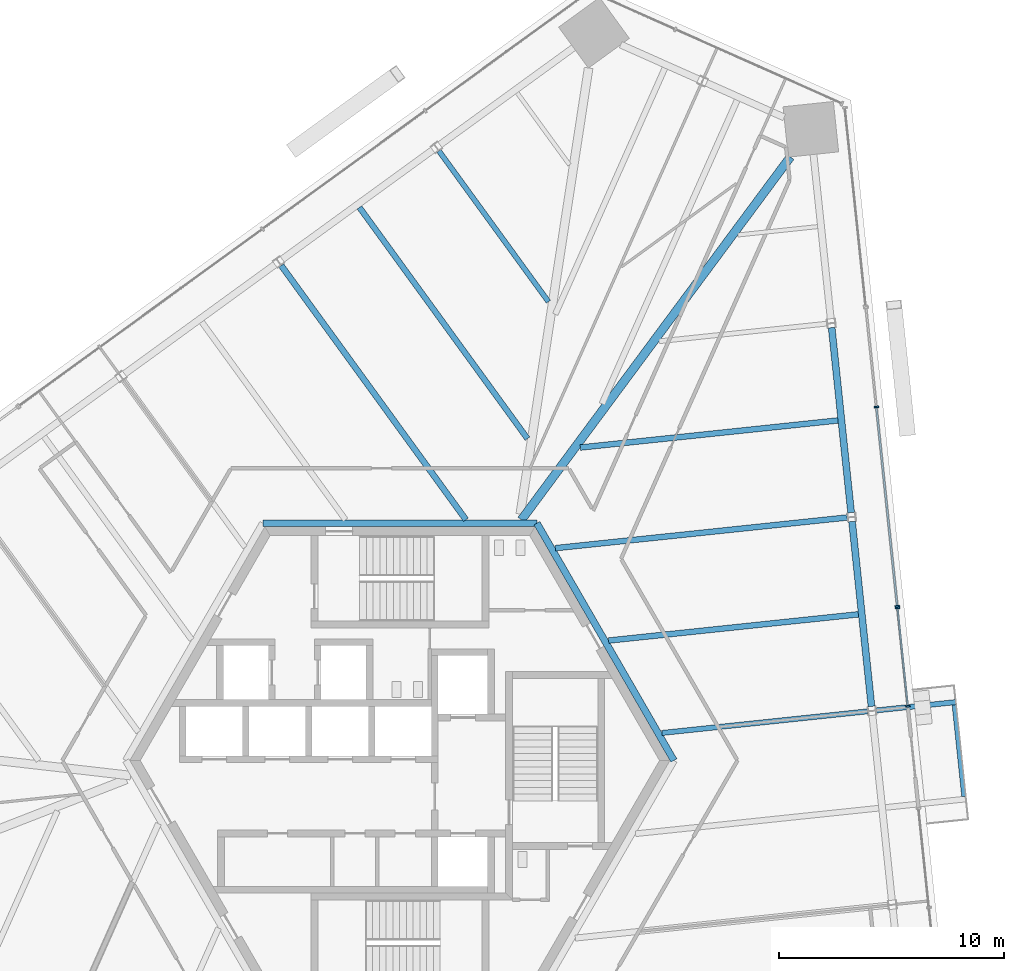
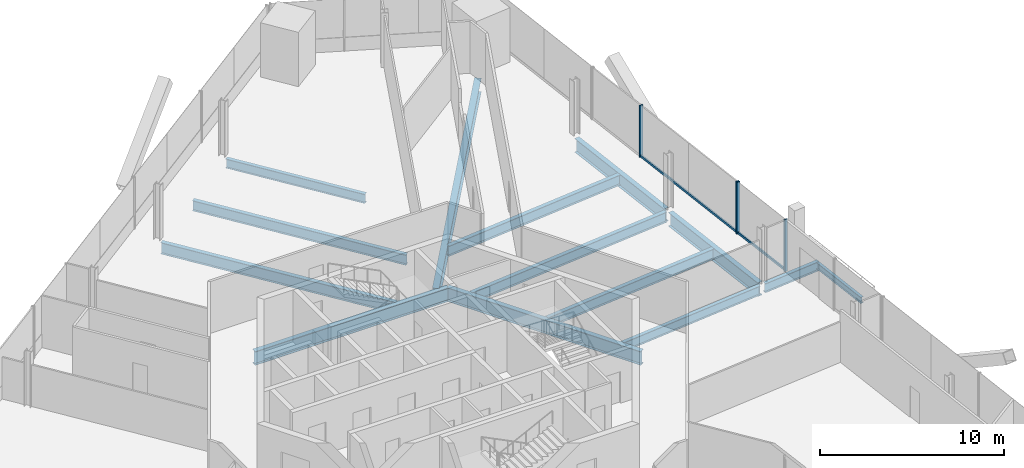
# One storey, part 7 of 18: 14 beams, 6 members, 2 elements without a shape of their own.
"""IFC4 building model written with IfcOpenShell, lengths in metres."""

from ifc_helpers import new_model, si_unit, direction, frame, origin, origin_2d, place, context, subcontext, project, spatial, rectangle, i_section, extrude, source, transform, mapped, material, material_profile, profile_set, type_object, element, aggregate, save


model = new_model("IFC4")

# Units and contexts
model_context = context("Model", 3, precision=1e-05, world=origin(), true_north=direction((0.0, 1.0)))
body_context = subcontext(model_context, "Body", "Model", "MODEL_VIEW")
ifc_project = project(units=[si_unit("LENGTHUNIT", "METRE"), si_unit("AREAUNIT", "SQUARE_METRE"), si_unit("VOLUMEUNIT", "CUBIC_METRE"), si_unit("PLANEANGLEUNIT", "RADIAN"), si_unit("MASSUNIT", "GRAM", prefix="KILO")], contexts=[model_context])

# Site, building, storey
site_placement = place(None, origin())
site = spatial("IfcSite", under=ifc_project, at=site_placement, CompositionType="ELEMENT")
building_placement = place(site_placement, origin())
building = spatial("IfcBuilding", under=site, at=building_placement, Name="Triune Harvest Tower", CompositionType="ELEMENT")
storey_placement = place(building_placement, frame((0.0, 0.0, 83.699951171875)))
storey = spatial("IfcBuildingStorey", under=building, at=storey_placement, Name="L20", CompositionType="ELEMENT", Elevation=83.699951171875)

# Curtain wall, member
ifc_material_1 = material(Name="Aluminium bronze anodised", Category="aluminium")
curtain_wall_type_1 = type_object("IfcCurtainWallType", Name="CW-10 Balcony window wall with insulated spandrel infill", PredefinedType="NOTDEFINED", material=ifc_material_1)
curtain_wall_1_placement = place(storey_placement, origin())
curtain_wall_1 = element("IfcCurtainWall", 1, at=curtain_wall_1_placement, inside=storey, type_object=curtain_wall_type_1, Name="CW-10 B2-F1 L20 run 1002")
ifc_material_2 = material(Name="Aluminium bronze anodised", Category="aluminium")
ifc_material_profile_1 = material_profile(ifc_material_2, rectangle(XDim=0.090087890625, YDim=0.14990234375, at=origin_2d()), Name="TR-6 transom 90 x 150")
ifc_profile_set_1 = profile_set([ifc_material_profile_1], Name="Aluminium bronze anodised")
member_type_1 = type_object("IfcMemberType", Name="TR-6 transom 90 x 150", PredefinedType="USERDEFINED", material=ifc_profile_set_1)
member_1_placement = place(storey_placement, frame((22.09814453125, 6.893310546875, 0.074951171875), z_axis=(-0.104501967662, 0.994524679812, 0.0), x_axis=(-0.994524679812, -0.104501967662, 0.0)))
member_1 = element("IfcMember", 2, at=member_1_placement, type_object=member_type_1, Name="CW-10 transom B2-F1 1002.1", ObjectType="TRANSOM", PredefinedType="USERDEFINED", context=body_context, shape_type="SweptSolid", body=[
    extrude(rectangle(XDim=0.090087890625, YDim=0.14990234375, at=origin_2d()), origin(), (0.0, 0.0, 1.0), 8.82861328125),
])

# Beams
ifc_material_3 = material(Name="Steel ASTM A992 Gr 50", Category="steel")
ifc_material_profile_2 = material_profile(ifc_material_3, i_section(OverallWidth=0.3046875, OverallDepth=0.914306640625, WebThickness=0.0166015625, FlangeThickness=0.02587890625, at=origin_2d()), Name="W36x160")
ifc_profile_set_2 = profile_set([ifc_material_profile_2], Name="Steel ASTM A992 Gr 50")
beam_type_1 = type_object("IfcBeamType", Name="CG-1 Core ring girder W36x160", PredefinedType="BEAM", material=ifc_profile_set_2)
shared_shape_1 = source(origin(), body_context, "Body", "SweptSolid", [
    extrude(i_section(OverallWidth=0.3046875, OverallDepth=0.914306640625, WebThickness=0.0166015625, FlangeThickness=0.02587890625, at=origin_2d()), origin(), (0.0, 0.0, 1.0), 12.176025390625),
])
beam_1_placement = place(storey_placement, frame((12.176025390625, 0.0, -0.6171875), z_axis=(-0.5000099932, 0.866019634131, 0.0), x_axis=(-0.866019634131, -0.5000099932, 0.0)))
element("IfcBeam", 3, at=beam_1_placement, inside=storey, type_object=beam_type_1, Name="beam/L20/CG1", PredefinedType="BEAM", context=body_context, shape_type="MappedRepresentation", body=[
    mapped(shared_shape_1, transform((0.0, 0.0, 0.0), scale=1.0)),
])
shared_shape_2 = source(origin(), body_context, "Body", "SweptSolid", [
    extrude(i_section(OverallWidth=0.3046875, OverallDepth=0.914306640625, WebThickness=0.0166015625, FlangeThickness=0.02587890625, at=origin_2d()), origin(), (0.0, 0.0, 1.0), 12.17578125),
])
beam_2_placement = place(storey_placement, frame((6.087890625, 10.544677734375, -0.6171875), z_axis=(-1.0, 0.0, 0.0), x_axis=(0.0, -1.0, 0.0)))
element("IfcBeam", 4, at=beam_2_placement, inside=storey, type_object=beam_type_1, Name="beam/L20/CG2", PredefinedType="BEAM", context=body_context, shape_type="MappedRepresentation", body=[
    mapped(shared_shape_2, transform((0.0, 0.0, 0.0), scale=1.0)),
])
ifc_material_4 = material(Name="Steel ASTM A992 Gr 50", Category="steel")
ifc_material_profile_3 = material_profile(ifc_material_4, i_section(OverallWidth=0.3046875, OverallDepth=0.914306640625, WebThickness=0.0166015625, FlangeThickness=0.02587890625, at=origin_2d()), Name="W36x160")
ifc_profile_set_3 = profile_set([ifc_material_profile_3], Name="Steel ASTM A992 Gr 50")
beam_type_2 = type_object("IfcBeamType", Name="SB-1 Spandrel beam W36x160", PredefinedType="SPANDREL", material=ifc_profile_set_3)
shared_shape_3 = source(origin(), body_context, "Body", "SweptSolid", [
    extrude(i_section(OverallWidth=0.3046875, OverallDepth=0.914306640625, WebThickness=0.0166015625, FlangeThickness=0.02587890625, at=origin_2d()), origin(), (0.0, 0.0, 1.0), 8.263427734375),
])
for number, where, z_axis, x_axis, name in (
    (5, (20.956298828125, 2.403076171875, -0.6171875), (-0.104560208485, 0.994518558299, 0.0), (-0.994518558299, -0.104560208485, 0.0), "beam/L20/SB4"),
    (6, (20.05078125, 11.017822265625, -0.6171875), (-0.104527914852, 0.994521953009, 0.0), (-0.994521953009, -0.104527914852, 0.0), "beam/L20/SB5"),
):
    element("IfcBeam", number, at=place(storey_placement, frame(where, z_axis=z_axis, x_axis=x_axis)), inside=storey, type_object=beam_type_2, Name=name, PredefinedType="SPANDREL", context=body_context, shape_type="MappedRepresentation", body=[
        mapped(shared_shape_3, transform((0.0, 0.0, 0.0), scale=1.0)),
    ])
ifc_material_5 = material(Name="Steel ASTM A992 Gr 50", Category="steel")
ifc_material_profile_4 = material_profile(ifc_material_5, i_section(OverallWidth=0.383544921875, OverallDepth=0.9423828125, WebThickness=0.022216796875, FlangeThickness=0.039794921875, at=origin_2d()), Name="W36x232")
ifc_profile_set_4 = profile_set([ifc_material_profile_4], Name="Steel ASTM A992 Gr 50")
beam_type_3 = type_object("IfcBeamType", Name="HG-1 Hip girder W36x232", PredefinedType="BEAM", material=ifc_profile_set_4)
shared_shape_4 = source(origin(), body_context, "Body", "SweptSolid", [
    extrude(i_section(OverallWidth=0.383544921875, OverallDepth=0.9423828125, WebThickness=0.022216796875, FlangeThickness=0.039794921875, at=origin_2d()), origin(), (0.0, 0.0, 1.0), 20.071044921875),
])
beam_3_placement = place(storey_placement, frame((17.3515625, 26.822265625, -0.631103515625), z_axis=(-0.595422435489, -0.803412797581, 0.0), x_axis=(0.803412797581, -0.595422435489, 0.0)))
element("IfcBeam", 7, at=beam_3_placement, inside=storey, type_object=beam_type_3, Name="beam/L20/HG3", PredefinedType="BEAM", context=body_context, shape_type="MappedRepresentation", body=[
    mapped(shared_shape_4, transform((0.0, 0.0, 0.0), scale=1.0)),
])
ifc_material_6 = material(Name="Steel ASTM A992 Gr 50", Category="steel")
ifc_material_profile_5 = material_profile(ifc_material_6, i_section(OverallWidth=0.22900390625, OverallDepth=0.612060546875, WebThickness=0.011962890625, FlangeThickness=0.01953125, at=origin_2d()), Name="W24x84")
ifc_profile_set_5 = profile_set([ifc_material_profile_5], Name="Steel ASTM A992 Gr 50")
beam_type_4 = type_object("IfcBeamType", Name="JT-3 Floor joist W24x84", PredefinedType="JOIST", material=ifc_profile_set_5)
shared_shape_5 = source(origin(), body_context, "Body", "SweptSolid", [
    extrude(i_section(OverallWidth=0.22900390625, OverallDepth=0.612060546875, WebThickness=0.011962890625, FlangeThickness=0.01953125, at=origin_2d()), origin(), (0.0, 0.0, 1.0), 8.28173828125),
])
beam_4_placement = place(storey_placement, frame((1.733642578125, 27.087890625, -0.466064453125), z_axis=(0.587794772324, -0.809010077581, 0.0), x_axis=(0.809010077581, 0.587794772324, 0.0)))
element("IfcBeam", 8, at=beam_4_placement, inside=storey, type_object=beam_type_4, Name="beam/L20/JT15", PredefinedType="JOIST", context=body_context, shape_type="MappedRepresentation", body=[
    mapped(shared_shape_5, transform((0.0, 0.0, 0.0), scale=1.0)),
])
shared_shape_6 = source(origin(), body_context, "Body", "SweptSolid", [
    extrude(i_section(OverallWidth=0.22900390625, OverallDepth=0.612060546875, WebThickness=0.011962890625, FlangeThickness=0.01953125, at=origin_2d()), origin(), (0.0, 0.0, 1.0), 9.186279296875),
])
beam_5_placement = place(storey_placement, frame((20.78125, 2.18408203125, -0.466064453125), z_axis=(-0.99452494946, -0.10449940144, 0.0), x_axis=(0.10449940144, -0.99452494946, 0.0)))
element("IfcBeam", 9, at=beam_5_placement, inside=storey, type_object=beam_type_4, Name="beam/L20/JT6", PredefinedType="JOIST", context=body_context, shape_type="MappedRepresentation", body=[
    mapped(shared_shape_6, transform((0.0, 0.0, 0.0), scale=1.0)),
])
ifc_material_7 = material(Name="Steel ASTM A992 Gr 50", Category="steel")
ifc_material_profile_6 = material_profile(ifc_material_7, i_section(OverallWidth=0.253662109375, OverallDepth=0.683349609375, WebThickness=0.012451171875, FlangeThickness=0.01904296875, at=origin_2d()), Name="W27x94")
ifc_profile_set_6 = profile_set([ifc_material_profile_6], Name="Steel ASTM A992 Gr 50")
beam_type_5 = type_object("IfcBeamType", Name="JT-4 Floor joist W27x94", PredefinedType="JOIST", material=ifc_profile_set_6)
shared_shape_7 = source(origin(), body_context, "Body", "SweptSolid", [
    extrude(i_section(OverallWidth=0.253662109375, OverallDepth=0.683349609375, WebThickness=0.012451171875, FlangeThickness=0.01904296875, at=origin_2d()), origin(), (0.0, 0.0, 1.0), 11.158935546875),
])
beam_6_placement = place(storey_placement, frame((20.372802734375, 6.49609375, -0.50146484375), z_axis=(-0.994523540129, -0.104512813234, 0.0), x_axis=(0.104512813234, -0.994523540129, 0.0)))
element("IfcBeam", 10, at=beam_6_placement, inside=storey, type_object=beam_type_5, Name="beam/L20/JT7", PredefinedType="JOIST", context=body_context, shape_type="MappedRepresentation", body=[
    mapped(shared_shape_7, transform((0.0, 0.0, 0.0), scale=1.0)),
])
shared_shape_8 = source(origin(), body_context, "Body", "SweptSolid", [
    extrude(i_section(OverallWidth=0.253662109375, OverallDepth=0.683349609375, WebThickness=0.012451171875, FlangeThickness=0.01904296875, at=origin_2d()), origin(), (0.0, 0.0, 1.0), 13.04296875),
])
beam_7_placement = place(storey_placement, frame((19.875732421875, 10.799072265625, -0.50146484375), z_axis=(-0.99452051979, -0.104541550188, 0.0), x_axis=(0.104541550188, -0.99452051979, 0.0)))
element("IfcBeam", 11, at=beam_7_placement, inside=storey, type_object=beam_type_5, Name="beam/L20/JT8", PredefinedType="JOIST", context=body_context, shape_type="MappedRepresentation", body=[
    mapped(shared_shape_8, transform((0.0, 0.0, 0.0), scale=1.0)),
])
shared_shape_9 = source(origin(), body_context, "Body", "SweptSolid", [
    extrude(i_section(OverallWidth=0.253662109375, OverallDepth=0.683349609375, WebThickness=0.012451171875, FlangeThickness=0.01904296875, at=origin_2d()), origin(), (0.0, 0.0, 1.0), 11.51123046875),
])
beam_8_placement = place(storey_placement, frame((19.46728515625, 15.111083984375, -0.50146484375), z_axis=(-0.994520898324, -0.104537949071, 0.0), x_axis=(0.104537949071, -0.994520898324, 0.0)))
element("IfcBeam", 12, at=beam_8_placement, inside=storey, type_object=beam_type_5, Name="beam/L20/JT9", PredefinedType="JOIST", context=body_context, shape_type="MappedRepresentation", body=[
    mapped(shared_shape_9, transform((0.0, 0.0, 0.0), scale=1.0)),
])
shared_shape_10 = source(origin(), body_context, "Body", "SweptSolid", [
    extrude(i_section(OverallWidth=0.253662109375, OverallDepth=0.683349609375, WebThickness=0.012451171875, FlangeThickness=0.01904296875, at=origin_2d()), origin(), (0.0, 0.0, 1.0), 12.701904296875),
])
beam_9_placement = place(storey_placement, frame((-1.79638671875, 24.578369140625, -0.50146484375), z_axis=(0.587773910587, -0.809025234485, 0.0), x_axis=(0.809025234485, 0.587773910587, 0.0)))
element("IfcBeam", 13, at=beam_9_placement, inside=storey, type_object=beam_type_5, Name="beam/L20/JT16", PredefinedType="JOIST", context=body_context, shape_type="MappedRepresentation", body=[
    mapped(shared_shape_10, transform((0.0, 0.0, 0.0), scale=1.0)),
])
ifc_material_8 = material(Name="Steel ASTM A992 Gr 50", Category="steel")
ifc_material_profile_7 = material_profile(ifc_material_8, i_section(OverallWidth=0.2666015625, OverallDepth=0.7568359375, WebThickness=0.013916015625, FlangeThickness=0.019287109375, at=origin_2d()), Name="W30x108")
ifc_profile_set_7 = profile_set([ifc_material_profile_7], Name="Steel ASTM A992 Gr 50")
beam_type_6 = type_object("IfcBeamType", Name="JT-5 Floor joist W30x108", PredefinedType="JOIST", material=ifc_profile_set_7)
shared_shape_11 = source(origin(), body_context, "Body", "SweptSolid", [
    extrude(i_section(OverallWidth=0.2666015625, OverallDepth=0.7568359375, WebThickness=0.013916015625, FlangeThickness=0.019287109375, at=origin_2d()), origin(), (0.0, 0.0, 1.0), 13.967041015625),
])
beam_10_placement = place(storey_placement, frame((-5.2744140625, 21.99658203125, -0.538330078125), z_axis=(0.587790196646, -0.809013402069, 0.0), x_axis=(0.809013402069, 0.587790196646, 0.0)))
element("IfcBeam", 14, at=beam_10_placement, inside=storey, type_object=beam_type_6, Name="beam/L20/JT17", PredefinedType="JOIST", context=body_context, shape_type="MappedRepresentation", body=[
    mapped(shared_shape_11, transform((0.0, 0.0, 0.0), scale=1.0)),
])

# Curtain wall, members
ifc_material_9 = material(Name="Aluminium bronze anodised", Category="aluminium")
curtain_wall_type_2 = type_object("IfcCurtainWallType", Name="CW-6 Balcony window wall", PredefinedType="NOTDEFINED", material=ifc_material_9)
curtain_wall_2_placement = place(storey_placement, origin())
curtain_wall_2 = element("IfcCurtainWall", 15, at=curtain_wall_2_placement, inside=storey, type_object=curtain_wall_type_2, Name="CW-6 B2-F1 L20 run 2")
ifc_material_10 = material(Name="Aluminium bronze anodised", Category="aluminium")
ifc_material_profile_8 = material_profile(ifc_material_10, rectangle(XDim=0.199951171875, YDim=0.074951171875, at=origin_2d()), Name="MU-6 mullion 75 x 200")
ifc_profile_set_8 = profile_set([ifc_material_profile_8], Name="Aluminium bronze anodised")
member_type_2 = type_object("IfcMemberType", Name="MU-6 mullion 75 x 200", PredefinedType="MULLION", material=ifc_profile_set_8)
shared_shape_12 = source(origin(), body_context, "Body", "SweptSolid", [
    extrude(rectangle(XDim=0.199951171875, YDim=0.074951171875, at=origin_2d()), origin(), (0.0, 0.0, 1.0), 3.43994140625),
])
member_2_placement = place(storey_placement, frame((22.569580078125, 2.409912109375, 0.0), z_axis=(0.0, 0.0, 1.0), x_axis=(-0.994521864794, -0.104528754165, 0.0)))
member_2 = element("IfcMember", 16, at=member_2_placement, type_object=member_type_2, Name="CW-6 mullion B2-F1 2.1", PredefinedType="MULLION", context=body_context, shape_type="MappedRepresentation", body=[
    mapped(shared_shape_12, transform((0.0, 0.0, 0.0), scale=1.0)),
])
member_3_placement = place(storey_placement, frame((22.110107421875, 6.78125, 0.0), z_axis=(0.0, 0.0, 1.0), x_axis=(-0.994521864794, -0.104528754165, 0.0)))
member_3 = element("IfcMember", 17, at=member_3_placement, type_object=member_type_2, Name="CW-6 mullion B2-F1 2.2", PredefinedType="MULLION", context=body_context, shape_type="MappedRepresentation", body=[
    mapped(shared_shape_12, transform((0.0, 0.0, 0.0), scale=1.0)),
])

# Member
member_4_placement = place(storey_placement, frame((22.102294921875, 6.85595703125, 0.0), z_axis=(0.0, 0.0, 1.0), x_axis=(-0.994521986995, -0.104527591495, 0.0)))
member_4 = element("IfcMember", 18, at=member_4_placement, type_object=member_type_2, Name="CW-10 mullion B2-F1 1002.1", PredefinedType="MULLION", context=body_context, shape_type="MappedRepresentation", body=[
    mapped(shared_shape_12, transform((0.0, 0.0, 0.0), scale=1.0)),
])

member_5_placement = place(storey_placement, frame((21.17138671875, 15.710693359375, 0.0), z_axis=(0.0, 0.0, 1.0), x_axis=(-0.994521986995, -0.104527591495, 0.0)))
member_5 = element("IfcMember", 19, at=member_5_placement, type_object=member_type_2, Name="CW-10 mullion B2-F1 1002.3", PredefinedType="MULLION", context=body_context, shape_type="MappedRepresentation", body=[
    mapped(shared_shape_12, transform((0.0, 0.0, 0.0), scale=1.0)),
])

aggregate(curtain_wall_1, [member_4, member_5, member_1])

# Beams
ifc_material_11 = material(Name="Steel ASTM A992 Gr 50", Category="steel")
ifc_material_profile_9 = material_profile(ifc_material_11, i_section(OverallWidth=0.22900390625, OverallDepth=0.612060546875, WebThickness=0.011962890625, FlangeThickness=0.01953125, at=origin_2d()), Name="W24x84")
ifc_profile_set_9 = profile_set([ifc_material_profile_9], Name="Steel ASTM A992 Gr 50")
beam_type_7 = type_object("IfcBeamType", Name="BJ-3 Balcony cantilever joist W24x84", PredefinedType="JOIST", material=ifc_profile_set_9)
shared_shape_13 = source(origin(), body_context, "Body", "SweptSolid", [
    extrude(i_section(OverallWidth=0.22900390625, OverallDepth=0.612060546875, WebThickness=0.011962890625, FlangeThickness=0.01953125, at=origin_2d()), origin(), (0.0, 0.0, 1.0), 3.59765625),
])
beam_11_placement = place(storey_placement, frame((21.12841796875, 2.220703125, -0.466064453125), z_axis=(0.994524029685, 0.104508154604, 0.0), x_axis=(-0.104508154604, 0.994524029685, 0.0)))
element("IfcBeam", 20, at=beam_11_placement, inside=storey, type_object=beam_type_7, Name="Balcony cantilever joist B2-F1 L20.6b", PredefinedType="JOIST", context=body_context, shape_type="MappedRepresentation", body=[
    mapped(shared_shape_13, transform((0.0, 0.0, 0.0), scale=1.0)),
])
ifc_material_12 = material(Name="Steel ASTM A992 Gr 50", Category="steel")
ifc_material_profile_10 = material_profile(ifc_material_12, i_section(OverallWidth=0.180908203125, OverallDepth=0.41650390625, WebThickness=0.010986328125, FlangeThickness=0.01806640625, at=origin_2d()), Name="W16x57")
ifc_profile_set_10 = profile_set([ifc_material_profile_10], Name="Steel ASTM A992 Gr 50")
beam_type_8 = type_object("IfcBeamType", Name="BE-1 balcony edge beam W16x57", PredefinedType="BEAM", material=ifc_profile_set_10)
shared_shape_14 = source(origin(), body_context, "Body", "SweptSolid", [
    extrude(i_section(OverallWidth=0.180908203125, OverallDepth=0.41650390625, WebThickness=0.010986328125, FlangeThickness=0.01806640625, at=origin_2d()), origin(), (0.0, 0.0, 1.0), 4.08984375),
])
beam_12_placement = place(storey_placement, frame((24.62841796875, 2.473388671875, -0.3681640625), z_axis=(0.104526304685, -0.994522122242, 0.0), x_axis=(0.994522122242, 0.104526304685, 0.0)))
element("IfcBeam", 21, at=beam_12_placement, inside=storey, type_object=beam_type_8, Name="Balcony edge beam B2-F1 L20.6", PredefinedType="BEAM", context=body_context, shape_type="MappedRepresentation", body=[
    mapped(shared_shape_14, transform((0.0, 0.0, 0.0), scale=1.0)),
])

# Member
shared_shape_15 = source(origin(), body_context, "Body", "SweptSolid", [
    extrude(rectangle(XDim=0.090087890625, YDim=0.14990234375, at=origin_2d()), origin(), (0.0, 0.0, 1.0), 4.320556640625),
])
member_6_placement = place(storey_placement, frame((22.565673828125, 2.447021484375, 0.074951171875), z_axis=(-0.104537710696, 0.994520923381, 0.0), x_axis=(-0.994520923381, -0.104537710696, 0.0)))
member_6 = element("IfcMember", 22, at=member_6_placement, type_object=member_type_1, Name="CW-6 transom B2-F1 2.1", ObjectType="TRANSOM", PredefinedType="USERDEFINED", context=body_context, shape_type="MappedRepresentation", body=[
    mapped(shared_shape_15, transform((0.0, 0.0, 0.0), scale=1.0)),
])

aggregate(curtain_wall_2, [member_2, member_3, member_6])

save(model, "model.ifc")
